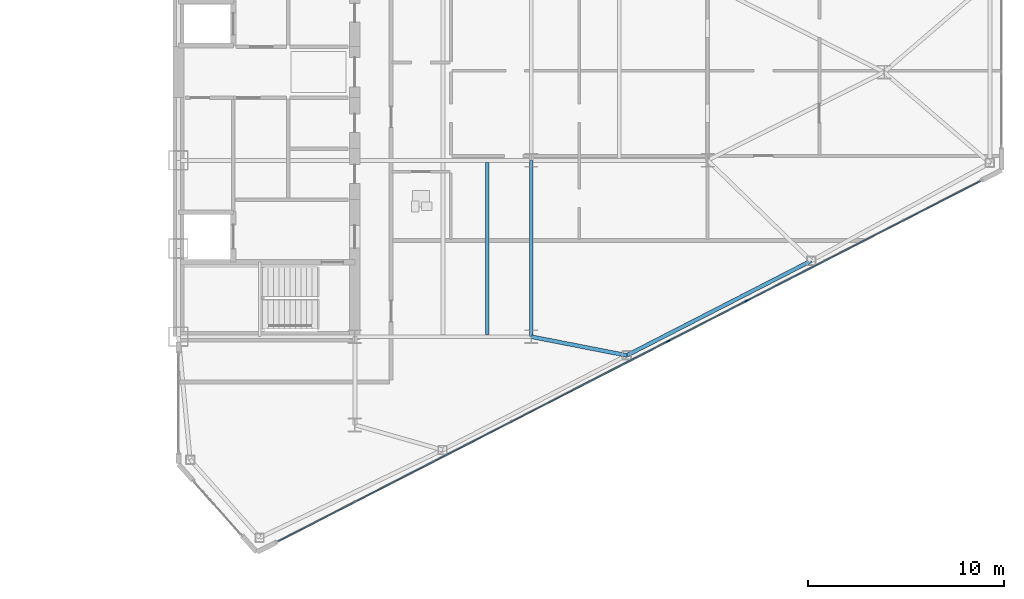
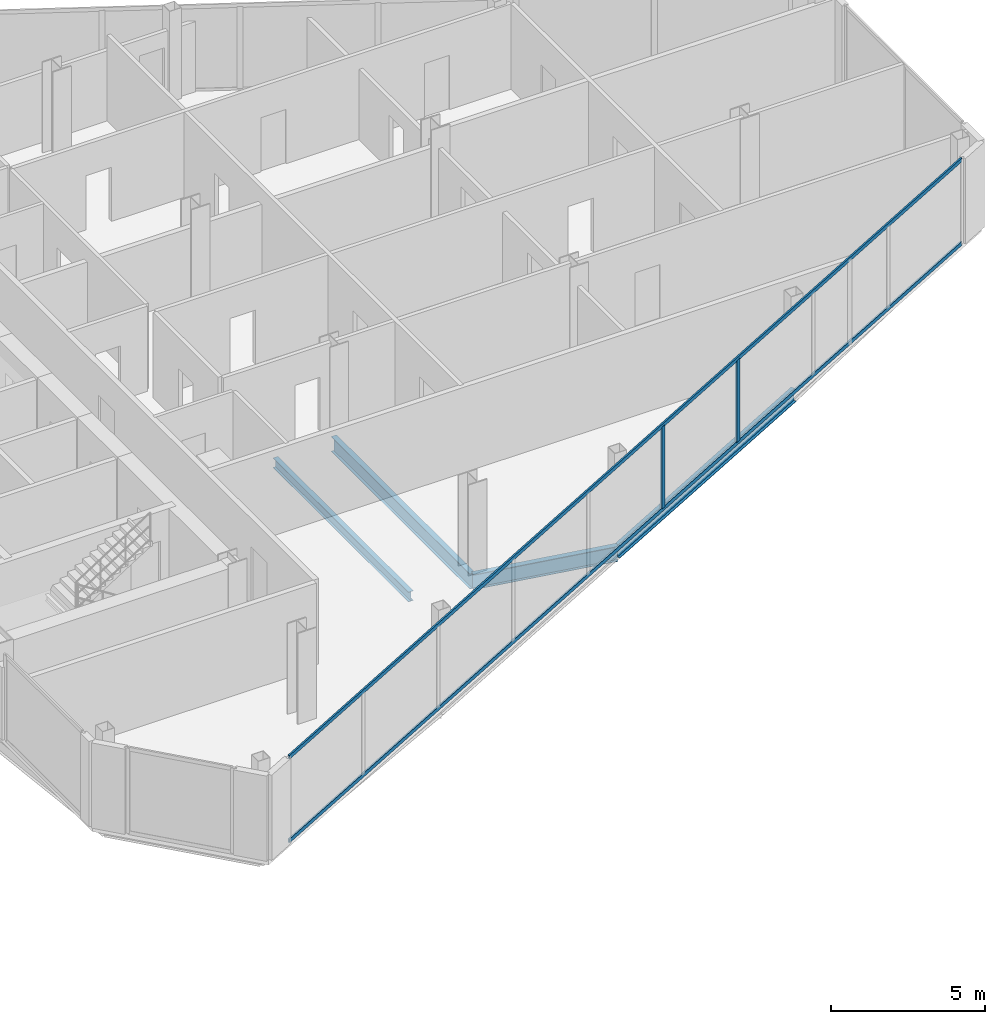
# One storey, part 9 of 22: 4 beams, 4 members, 1 element without a shape of its own.
"""IFC4 building model written with IfcOpenShell, lengths in metres."""

from ifc_helpers import new_model, si_unit, direction, frame, origin, origin_2d, place, context, subcontext, project, spatial, rectangle, i_section, extrude, source, transform, mapped, material, layer, layer_set, material_profile, profile_set, type_object, type_shapes, element, aggregate, save


model = new_model("IFC4")

# Units and contexts
model_context = context("Model", 3, precision=1e-05, world=origin(), true_north=direction((0.0, 1.0)))
body_context = subcontext(model_context, "Body", "Model", "MODEL_VIEW")
ifc_project = project(units=[si_unit("LENGTHUNIT", "METRE"), si_unit("AREAUNIT", "SQUARE_METRE"), si_unit("VOLUMEUNIT", "CUBIC_METRE"), si_unit("PLANEANGLEUNIT", "RADIAN"), si_unit("MASSUNIT", "GRAM", prefix="KILO")], contexts=[model_context])

# Site, building, storey
site_placement = place(None, origin())
site = spatial("IfcSite", under=ifc_project, at=site_placement, CompositionType="ELEMENT")
building_placement = place(site_placement, origin())
building = spatial("IfcBuilding", under=site, at=building_placement, Name="Seokmaru Belvedere", CompositionType="ELEMENT")
storey_placement = place(building_placement, frame((0.0, 0.0, 151.199951171875)))
storey = spatial("IfcBuildingStorey", under=building, at=storey_placement, Name="L40", CompositionType="ELEMENT", Elevation=151.199951171875)

# Beams
ifc_material_1 = material(Name="Steel SM355 (355 MPa)", Category="steel")
ifc_material_profile_1 = material_profile(ifc_material_1, i_section(OverallWidth=0.199951171875, OverallDepth=0.60009765625, WebThickness=0.010986328125, FlangeThickness=0.01708984375, at=origin_2d()), Name="H-600x200x11x17")
ifc_profile_set_1 = profile_set([ifc_material_profile_1], Name="Steel SM355 (355 MPa)")
beam_type_1 = type_object("IfcBeamType", Name="Primary Floor Girder H-600", PredefinedType="BEAM", material=ifc_profile_set_1)
shared_shape_1 = source(origin(), body_context, "Body", "SweptSolid", [
    extrude(i_section(OverallWidth=0.199951171875, OverallDepth=0.60009765625, WebThickness=0.010986328125, FlangeThickness=0.01708984375, at=origin_2d()), origin(), (0.0, 0.0, 1.0), 9.0),
])
beam_1_placement = place(storey_placement, frame((45.5, -13.5, -0.52001953125), z_axis=(0.0, 1.0, 0.0), x_axis=(-1.0, 0.0, 0.0)))
element("IfcBeam", 1, at=beam_1_placement, inside=storey, type_object=beam_type_1, Name="L40 E Interior Grid Girder 1", PredefinedType="BEAM", context=body_context, shape_type="MappedRepresentation", body=[
    mapped(shared_shape_1, transform((0.0, 0.0, 0.0), scale=1.0)),
])
ifc_material_profile_2 = material_profile(ifc_material_1, i_section(OverallWidth=0.18505859375, OverallDepth=0.389892578125, WebThickness=0.008056640625, FlangeThickness=0.011962890625, at=origin_2d()), Name="H-390x185x8x12")
ifc_profile_set_2 = profile_set([ifc_material_profile_2], Name="Steel SM355 (355 MPa)")
beam_type_2 = type_object("IfcBeamType", Name="Secondary Floor Joist H-350", PredefinedType="JOIST", material=ifc_profile_set_2)
shared_shape_2 = source(origin(), body_context, "Body", "SweptSolid", [
    extrude(i_section(OverallWidth=0.18505859375, OverallDepth=0.389892578125, WebThickness=0.008056640625, FlangeThickness=0.011962890625, at=origin_2d()), origin(), (0.0, 0.0, 1.0), 8.7900390625),
])
type_shapes(beam_type_2, [shared_shape_2])
beam_2_placement = place(storey_placement, frame((43.25, -13.39501953125, -0.4150390625), z_axis=(0.0, 1.0, 0.0), x_axis=(-1.0, 0.0, 0.0)))
element("IfcBeam", 2, at=beam_2_placement, inside=storey, type_object=beam_type_2, Name="L40 E Wing Inner Secondary Joist 1", PredefinedType="JOIST", context=body_context, shape_type="MappedRepresentation", body=[
    mapped(shared_shape_2, transform((0.0, 0.0, 0.0), scale=1.0)),
])
ifc_material_profile_3 = material_profile(ifc_material_1, i_section(OverallWidth=0.199951171875, OverallDepth=0.5, WebThickness=0.010009765625, FlangeThickness=0.01611328125, at=origin_2d()), Name="H-500x200x10x16")
ifc_profile_set_3 = profile_set([ifc_material_profile_3], Name="Steel SM355 (355 MPa)")
beam_type_3 = type_object("IfcBeamType", Name="Perimeter Spandrel Beam H-500", PredefinedType="SPANDREL", material=ifc_profile_set_3)
shared_shape_3 = source(origin(), body_context, "Body", "SweptSolid", [
    extrude(i_section(OverallWidth=0.199951171875, OverallDepth=0.5, WebThickness=0.010009765625, FlangeThickness=0.01611328125, at=origin_2d()), origin(), (0.0, 0.0, 1.0), 10.56689453125),
])
type_shapes(beam_type_3, [shared_shape_3])
beam_3_placement = place(storey_placement, frame((50.377197265625, -14.453369140625, -0.469970703125), z_axis=(0.889692588006, 0.456560071455, 0.0), x_axis=(-0.456560071455, 0.889692588006, 0.0)))
element("IfcBeam", 3, at=beam_3_placement, inside=storey, type_object=beam_type_3, Name="L40 E Faceted Flank Spandrel S-3", PredefinedType="SPANDREL", context=body_context, shape_type="MappedRepresentation", body=[
    mapped(shared_shape_3, transform((0.0, 0.0, 0.0), scale=1.0)),
])
shared_shape_4 = source(origin(), body_context, "Body", "SweptSolid", [
    extrude(i_section(OverallWidth=0.199951171875, OverallDepth=0.60009765625, WebThickness=0.010986328125, FlangeThickness=0.01708984375, at=origin_2d()), origin(), (0.0, 0.0, 1.0), 4.969482421875),
])
type_shapes(beam_type_1, [shared_shape_1, shared_shape_4])
beam_4_placement = place(storey_placement, frame((50.377197265625, -14.453369140625, -0.52001953125), z_axis=(-0.98142544456, 0.19184393858, 0.0), x_axis=(-0.19184393858, -0.98142544456, 0.0)))
element("IfcBeam", 4, at=beam_4_placement, inside=storey, type_object=beam_type_1, Name="L40 E Flank Radial Floor Girder S-2", PredefinedType="BEAM", context=body_context, shape_type="MappedRepresentation", body=[
    mapped(shared_shape_4, transform((0.0, 0.0, 0.0), scale=1.0)),
])

# Curtain wall, members
ifc_material_2 = material(Name="Bronze Triple Insulating Glass", Category="glass")
ifc_layer = layer(ifc_material_2, 0.195068359375)
ifc_layer_set = layer_set([ifc_layer], Name="Bronze Triple Insulating Glass")
curtain_wall_type = type_object("IfcCurtainWallType", Name="Sky-Lobby and Mid-Rise Curtain Wall System CW-4", PredefinedType="NOTDEFINED", material=ifc_layer_set)
curtain_wall_placement = place(storey_placement, origin())
curtain_wall = element("IfcCurtainWall", 5, at=curtain_wall_placement, inside=storey, type_object=curtain_wall_type, Name="L40 Curtain Wall EF1", PredefinedType="NOTDEFINED")
ifc_material_3 = material(Name="Anodised Bronze Aluminium", Category="aluminium")
ifc_material_profile_4 = material_profile(ifc_material_3, rectangle(XDim=0.070068359375, YDim=0.195068359375, at=origin_2d()), Name="CW-M-70x195")
ifc_profile_set_4 = profile_set([ifc_material_profile_4], Name="Anodised Bronze Aluminium")
member_type_1 = type_object("IfcMemberType", Name="Bronze Unitised Mullion 70x195", PredefinedType="MULLION", material=ifc_profile_set_4)
shared_shape_5 = source(origin(), body_context, "Body", "SweptSolid", [
    extrude(rectangle(XDim=0.070068359375, YDim=0.195068359375, at=origin_2d()), origin(), (0.0, 0.0, 1.0), 3.25),
])
type_shapes(member_type_1, [shared_shape_5])
member_1_placement = place(storey_placement, frame((52.497314453125, -13.72509765625, 0.06494140625), z_axis=(0.0, 0.0, 1.0), x_axis=(-0.456554528263, 0.889695432562, 0.0)))
member_1 = element("IfcMember", 6, at=member_1_placement, type_object=member_type_1, Name="CW:L40:EF1 Mullion 6", PredefinedType="MULLION", context=body_context, shape_type="MappedRepresentation", body=[
    mapped(shared_shape_5, transform((0.0, 0.0, 0.0), scale=1.0)),
])
member_2_placement = place(storey_placement, frame((56.4921875, -11.675048828125, 0.06494140625), z_axis=(0.0, 0.0, 1.0), x_axis=(-0.456554528263, 0.889695432562, 0.0)))
member_2 = element("IfcMember", 7, at=member_2_placement, type_object=member_type_1, Name="CW:L40:EF1 Mullion 7", PredefinedType="MULLION", context=body_context, shape_type="MappedRepresentation", body=[
    mapped(shared_shape_5, transform((0.0, 0.0, 0.0), scale=1.0)),
])
ifc_material_profile_5 = material_profile(ifc_material_3, rectangle(XDim=0.06494140625, YDim=0.14990234375, at=origin_2d()), Name="CW-T-65x150")
ifc_profile_set_5 = profile_set([ifc_material_profile_5], Name="Anodised Bronze Aluminium")
member_type_2 = type_object("IfcMemberType", Name="Bronze Unitised Transom 65x150", PredefinedType="USERDEFINED", material=ifc_profile_set_5)
shared_shape_6 = source(origin(), body_context, "Body", "SweptSolid", [
    extrude(rectangle(XDim=0.06494140625, YDim=0.14990234375, at=origin_2d()), origin(), (0.0, 0.0, 1.0), 40.271240234375),
])
type_shapes(member_type_2, [shared_shape_6])
member_3_placement = place(storey_placement, frame((32.58544921875, -23.943115234375, 0.032470703125), z_axis=(0.889693089107, 0.456559094965, 0.0), x_axis=(-0.456559094965, 0.889693089107, 0.0)))
member_3 = element("IfcMember", 8, at=member_3_placement, type_object=member_type_2, Name="CW:L40:EF1 Continuous Transom 1", ObjectType="TRANSOM", PredefinedType="USERDEFINED", context=body_context, shape_type="MappedRepresentation", body=[
    mapped(shared_shape_6, transform((0.0, 0.0, 0.0), scale=1.0)),
])
member_4_placement = place(storey_placement, frame((32.58544921875, -23.943115234375, 3.34765625), z_axis=(0.889693089107, 0.456559094965, 0.0), x_axis=(-0.456559094965, 0.889693089107, 0.0)))
member_4 = element("IfcMember", 9, at=member_4_placement, type_object=member_type_2, Name="CW:L40:EF1 Continuous Transom 2", ObjectType="TRANSOM", PredefinedType="USERDEFINED", context=body_context, shape_type="MappedRepresentation", body=[
    mapped(shared_shape_6, transform((0.0, 0.0, 0.0), scale=1.0)),
])
aggregate(curtain_wall, [member_1, member_2, member_3, member_4])

save(model, "model.ifc")
